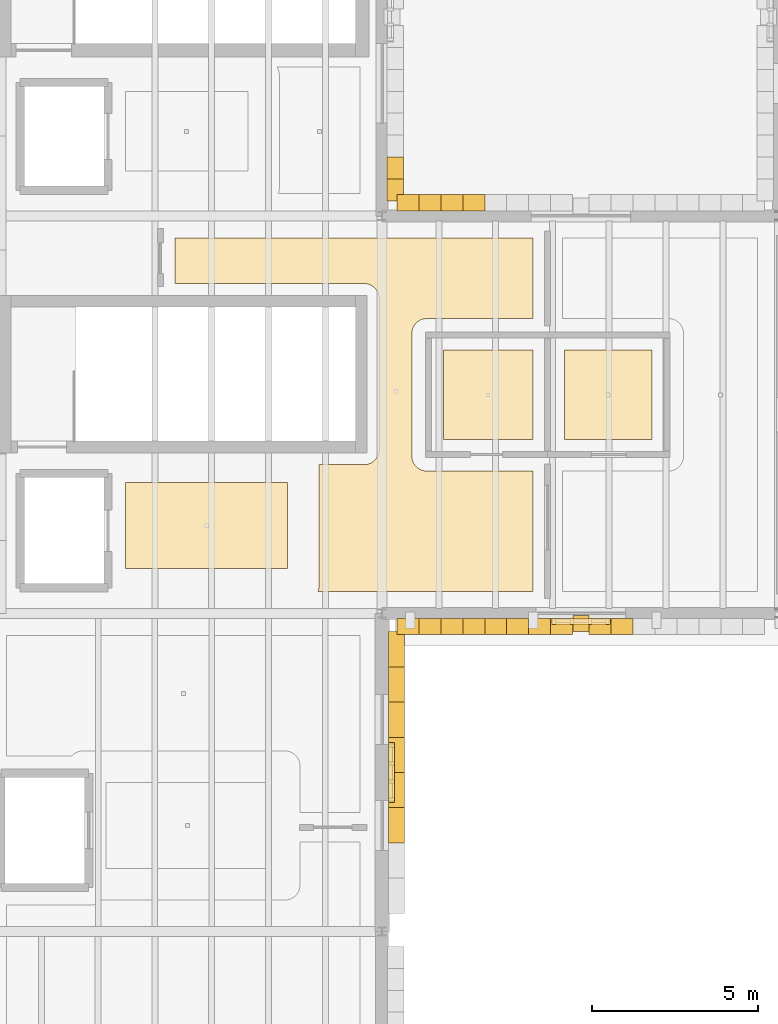
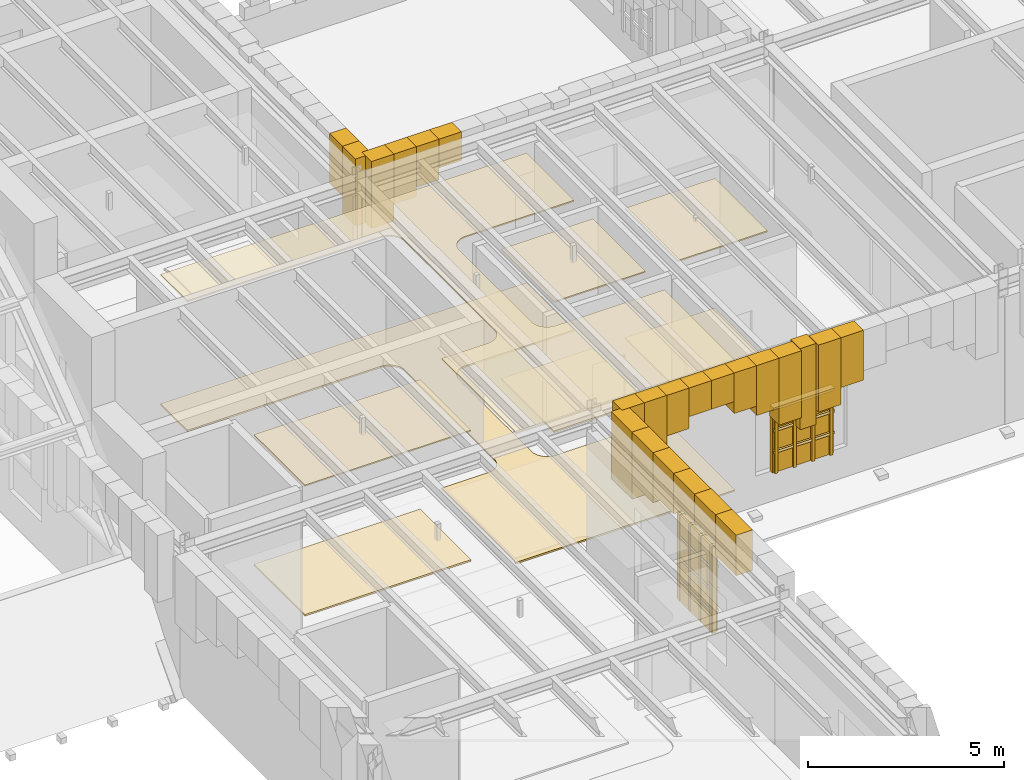
# One storey, part 31 of 35: 45 coverings, 2 shading devices.
"""IFC4 building model written with IfcOpenShell, lengths in metres."""

import ifcopenshell
import ifcopenshell.guid

model = None  # the IFC model being written
_history = None  # IfcOwnerHistory: only IFC2X3 demands one
_inside = {}  # id of a spatial element -> (the spatial element, [elements in it])
_under = {}  # id of a project, library or spatial element -> (it, [spatial elements below it])
_declared = {}  # id of a project -> (the project, [libraries it declares])
_typed = {}  # id of a type object -> (the type object, [elements of that type])
_made_of = {}  # id of a material, layer set ... -> (it, [elements and type objects made of it])


def new_model(schema):
    """Start an empty IFC model of exactly this schema.

    Asked for "IFC4X3", IfcOpenShell would pick the latest addendum, in which some entities
    have other attributes; the version numbers below select the first issue.
    IFC2X3 requires an IfcOwnerHistory on every rooted entity: one is made here for all.
    """
    global model, _history
    if schema == "IFC4X3":
        model = ifcopenshell.file(schema_version=(4, 3, 0, 0))
    else:
        model = ifcopenshell.file(schema=schema)
    _inside.clear()
    _under.clear()
    _declared.clear()
    _typed.clear()
    _made_of.clear()
    _history = None
    if model.schema == "IFC2X3":
        org = make("IfcOrganization", Name="unknown")
        user = make(
            "IfcPersonAndOrganization",
            ThePerson=make("IfcPerson", FamilyName="unknown"),
            TheOrganization=org,
        )
        app = make(
            "IfcApplication",
            ApplicationDeveloper=org,
            Version="unknown",
            ApplicationFullName="unknown",
            ApplicationIdentifier="unknown",
        )
        _history = make(
            "IfcOwnerHistory",
            OwningUser=user,
            OwningApplication=app,
            ChangeAction="ADDED",
            CreationDate=0,
        )
    return model


def make(cls, **values):
    """One entity of the class cls with the attributes given. An attribute that is None is left unset."""
    return model.create_entity(
        cls, **{name: value for name, value in values.items() if value is not None}
    )


def rooted(cls, **values):
    """An entity with a GlobalId (a new one), such as an element, a storey or a relation."""
    return make(cls, GlobalId=ifcopenshell.guid.new(), OwnerHistory=_history, **values)


def si_unit(unit_type, name, prefix=None):
    """IfcSIUnit, for example si_unit("LENGTHUNIT", "METRE", prefix="MILLI")."""
    return make("IfcSIUnit", UnitType=unit_type, Prefix=prefix, Name=name)


def assignment(units):
    """IfcUnitAssignment: the units of a project."""
    return None if units is None else make("IfcUnitAssignment", Units=units)


def point(xyz):
    """IfcCartesianPoint."""
    return None if xyz is None else make("IfcCartesianPoint", Coordinates=xyz)


def direction(xyz):
    """IfcDirection."""
    return None if xyz is None else make("IfcDirection", DirectionRatios=xyz)


def frame(location, z_axis=None, x_axis=None):
    """IfcAxis2Placement3D, a coordinate frame: its origin and axes. An axis left out is left unset."""
    return make(
        "IfcAxis2Placement3D",
        Location=point(location),
        Axis=direction(z_axis),
        RefDirection=direction(x_axis),
    )


def frame_2d(location, x_axis=None):
    """IfcAxis2Placement2D, a coordinate frame in the plane: its origin and x axis."""
    return make(
        "IfcAxis2Placement2D", Location=point(location), RefDirection=direction(x_axis)
    )


def origin():
    """The frame at (0, 0, 0) with its axes left unset."""
    return frame((0.0, 0.0, 0.0))


def origin_2d():
    """The frame at (0, 0) in the plane with its x axis left unset."""
    return frame_2d((0.0, 0.0))


def place(relative_to, where):
    """IfcLocalPlacement: puts the frame where relative to a parent placement (None: the world)."""
    return make(
        "IfcLocalPlacement", PlacementRelTo=relative_to, RelativePlacement=where
    )


def context(
    kind, dimensions, precision=None, world=None, true_north=None, identifier=None
):
    """IfcGeometricRepresentationContext, for example the 3D "Model" context."""
    return make(
        "IfcGeometricRepresentationContext",
        ContextIdentifier=identifier,
        ContextType=kind,
        CoordinateSpaceDimension=dimensions,
        Precision=precision,
        WorldCoordinateSystem=world,
        TrueNorth=true_north,
    )


def subcontext(parent, identifier, kind, view, scale=None):
    """IfcGeometricRepresentationSubContext, for example "Body" below "Model"."""
    return make(
        "IfcGeometricRepresentationSubContext",
        ContextIdentifier=identifier,
        ContextType=kind,
        ParentContext=parent,
        TargetScale=scale,
        TargetView=view,
    )


def project(units=None, contexts=None):
    """IfcProject with its units and contexts."""
    return rooted(
        "IfcProject",
        Name="project",
        RepresentationContexts=contexts,
        UnitsInContext=assignment(units),
    )


def spatial(cls, under=None, at=None, **own):
    """A site, building, storey or space (cls), placed at a placement, below another one or the project."""
    s = rooted(cls, ObjectPlacement=at, **own)
    if under is not None:
        _under.setdefault(under.id(), (under, []))[1].append(s)
    return s


def polyline(points):
    """IfcPolyline through the points."""
    return make("IfcPolyline", Points=[point(p) for p in points])


def profile(cls, at=None, kind="AREA", **sizes):
    """A parametric profile (cls). Its sizes go by their IFC names, for example OverallWidth=200.0."""
    return make(cls, ProfileType=kind, Position=at, **sizes)


def rectangle(**sizes):
    """IfcRectangleProfileDef."""
    return profile("IfcRectangleProfileDef", **sizes)


def outline(outer, holes=None, kind="AREA"):
    """IfcArbitraryClosedProfileDef: a profile drawn as a closed curve; with holes, ...WithVoids."""
    if holes is None:
        return make("IfcArbitraryClosedProfileDef", ProfileType=kind, OuterCurve=outer)
    return make(
        "IfcArbitraryProfileDefWithVoids",
        ProfileType=kind,
        OuterCurve=outer,
        InnerCurves=holes,
    )


def extrude(swept, where, along, depth):
    """IfcExtrudedAreaSolid: the profile swept, set in the frame where, extruded along a direction by depth."""
    return make(
        "IfcExtrudedAreaSolid",
        SweptArea=swept,
        Position=where,
        ExtrudedDirection=direction(along),
        Depth=depth,
    )


def shape(context_of_items, identifier, shape_type, items):
    """IfcShapeRepresentation: the items that make up one representation, for example the "Body"."""
    return make(
        "IfcShapeRepresentation",
        ContextOfItems=context_of_items,
        RepresentationIdentifier=identifier,
        RepresentationType=shape_type,
        Items=items,
    )


def material(Name=None, Category=None):
    """IfcMaterial."""
    return make("IfcMaterial", Name=Name, Category=Category)


def layer(
    of_material, thickness, ventilated=None, Name=None, Category=None, Priority=None
):
    """IfcMaterialLayer: one layer of a wall or slab, of a material (None: an air gap)."""
    return make(
        "IfcMaterialLayer",
        Material=of_material,
        LayerThickness=thickness,
        IsVentilated=ventilated,
        Name=Name,
        Category=Category,
        Priority=Priority,
    )


def layer_set(layers, Name=None):
    """IfcMaterialLayerSet."""
    return make("IfcMaterialLayerSet", MaterialLayers=layers, LayerSetName=Name)


def made_of(thing, what):
    """Note that an element or type object is made of a material, layer set ...; save() writes the relation."""
    if what is not None:
        _made_of.setdefault(what.id(), (what, []))[1].append(thing)
    return thing


def type_object(cls, material=None, **own):
    """A type object (cls), such as IfcWallType, which elements share."""
    return made_of(rooted(cls, **own), material)


def element(
    cls,
    number,
    at=None,
    inside=None,
    cuts=None,
    type_object=None,
    material=None,
    context=None,
    identifier="Body",
    shape_type=None,
    held_by="IfcProductDefinitionShape",
    body=None,
    shapes=None,
    **own,
):
    """One element of the class cls, such as IfcWall. Its Tag is "e" and its number.

    at: its placement. inside: the storey or other place that contains it. cuts: it is an
    opening in that element (IfcRelVoidsElement). A single representation is given by context,
    identifier, shape_type and body (its items); several are given by shapes. held_by: the class
    of the entity that holds the representations. save() writes the other relations.
    """
    e = rooted(cls, Tag="e%d" % number, ObjectPlacement=at, **own)
    if body is not None:
        shapes = [shape(context, identifier, shape_type, body)]
    if shapes is not None:
        e.Representation = make(held_by, Representations=shapes)
    if inside is not None:
        _inside.setdefault(inside.id(), (inside, []))[1].append(e)
    if cuts is not None:
        rooted(
            "IfcRelVoidsElement", RelatingBuildingElement=cuts, RelatedOpeningElement=e
        )
    if type_object is not None:
        _typed.setdefault(type_object.id(), (type_object, []))[1].append(e)
    return made_of(e, material)


def aggregate(whole, parts):
    """IfcRelAggregates: a whole, such as a stair, and the parts it consists of."""
    return rooted("IfcRelAggregates", RelatingObject=whole, RelatedObjects=parts)


def save(model, path):
    """Write the relations noted so far, then the file.

    IfcRelAggregates (storeys below a building ...), IfcRelContainedInSpatialStructure (elements
    in a storey), IfcRelDefinesByType, IfcRelAssociatesMaterial and IfcRelDeclares: one each for
    every whole, place, type object, material and project.
    """
    for whole, parts in _under.values():
        aggregate(whole, parts)
    for where, things in _inside.values():
        rooted(
            "IfcRelContainedInSpatialStructure",
            RelatedElements=things,
            RelatingStructure=where,
        )
    for kind, things in _typed.values():
        rooted("IfcRelDefinesByType", RelatedObjects=things, RelatingType=kind)
    for what, things in _made_of.values():
        rooted("IfcRelAssociatesMaterial", RelatedObjects=things, RelatingMaterial=what)
    for by, libraries in _declared.values():
        rooted("IfcRelDeclares", RelatingContext=by, RelatedDefinitions=libraries)
    model.write(path)


model = new_model("IFC4")

# Units and contexts
model_context = context("Model", 3, precision=1e-05, world=origin(), true_north=direction((0.0, 1.0)))
body_context = subcontext(model_context, "Body", "Model", "MODEL_VIEW")
ifc_project = project(units=[si_unit("LENGTHUNIT", "METRE"), si_unit("AREAUNIT", "SQUARE_METRE"), si_unit("VOLUMEUNIT", "CUBIC_METRE"), si_unit("PLANEANGLEUNIT", "RADIAN"), si_unit("MASSUNIT", "GRAM", prefix="KILO")], contexts=[model_context])

# Site, building, storey
site_placement = place(None, origin())
site = spatial("IfcSite", under=ifc_project, at=site_placement, CompositionType="ELEMENT")
building_placement = place(site_placement, origin())
building = spatial("IfcBuilding", under=site, at=building_placement, Name="Zlatogorsky Bluff Art Gallery", CompositionType="ELEMENT")
storey_placement = place(building_placement, frame((0.0, 0.0, 23.39990234375)))
storey = spatial("IfcBuildingStorey", under=building, at=storey_placement, Name="L04", CompositionType="ELEMENT", Elevation=23.39990234375)

# Coverings
ifc_material_1 = material(Name="Perforated Gypsum Acoustic Board", Category="gypsum")
ifc_layer_1 = layer(ifc_material_1, 0.0400390625)
ifc_layer_set_1 = layer_set([ifc_layer_1], Name="Acoustic Gallery Ceiling CLG-01")
covering_type_1 = type_object("IfcCoveringType", Name="Acoustic Gallery Ceiling CLG-01", PredefinedType="CEILING", material=ifc_layer_set_1)
covering_1_placement = place(storey_placement, frame((0.0, 0.0, 4.050048828125)))
element("IfcCovering", 1, at=covering_1_placement, inside=storey, type_object=covering_type_1, Name="Firefighting Lift Lobby FL-2 acoustic ceiling", PredefinedType="CEILING", context=body_context, shape_type="SweptSolid", body=[
    extrude(outline(polyline([(129.14990234375, 87.949951171875), (129.14990234375, 85.35009765625), (124.25, 85.35009765625), (124.25, 87.949951171875), (129.14990234375, 87.949951171875)])), origin(), (0.0, 0.0, 1.0), 0.0400390625),
])
covering_2_placement = place(storey_placement, frame((0.0, 0.0, 4.050048828125)))
element("IfcCovering", 2, at=covering_2_placement, inside=storey, type_object=covering_type_1, Name="Public Restrooms and Staff WC acoustic ceiling", PredefinedType="CEILING", context=body_context, shape_type="SweptSolid", body=[
    extrude(outline(polyline([(136.550048828125, 91.949951171875), (136.550048828125, 89.25), (133.85009765625, 89.25), (133.85009765625, 91.949951171875), (136.550048828125, 91.949951171875)])), origin(), (0.0, 0.0, 1.0), 0.0400390625),
])
covering_3_placement = place(storey_placement, frame((0.0, 0.0, 4.050048828125)))
element("IfcCovering", 3, at=covering_3_placement, inside=storey, type_object=covering_type_1, Name="Accessible WC acoustic ceiling", PredefinedType="CEILING", context=body_context, shape_type="SweptSolid", body=[
    extrude(outline(polyline([(140.14990234375, 89.25), (137.5, 89.25), (137.5, 91.949951171875), (140.14990234375, 91.949951171875), (140.14990234375, 89.25)])), origin(), (0.0, 0.0, 1.0), 0.0400390625),
])
covering_4_placement = place(storey_placement, frame((0.0, 0.0, 4.050048828125)))
element("IfcCovering", 4, at=covering_4_placement, inside=storey, type_object=covering_type_1, Name="Imaging Conservation Laboratory acoustic ceiling", PredefinedType="CEILING", context=body_context, shape_type="SweptSolid", body=[
    extrude(outline(polyline([(130.065673828125, 84.677734375), (130.08056640625, 84.719482421875), (130.09130859375, 84.76220703125), (130.097900390625, 84.805908203125), (130.10009765625, 84.85009765625), (130.10009765625, 88.449951171875), (130.097900390625, 88.489990234375), (131.450927734375, 88.489990234375), (131.495361328125, 88.4921875), (131.539306640625, 88.498779296875), (131.540283203125, 88.498779296875), (131.549560546875, 88.5009765625), (131.550537109375, 88.501220703125), (131.59375, 88.512939453125), (131.6357421875, 88.529296875), (131.637451171875, 88.530029296875), (131.673095703125, 88.5478515625), (131.674072265625, 88.54833984375), (131.706298828125, 88.568115234375), (131.73681640625, 88.59033203125), (131.73828125, 88.591552734375), (131.775390625, 88.624755859375), (131.80859375, 88.661865234375), (131.809814453125, 88.663330078125), (131.83203125, 88.693603515625), (131.851806640625, 88.725830078125), (131.852294921875, 88.726806640625), (131.8701171875, 88.762451171875), (131.870361328125, 88.763427734375), (131.870849609375, 88.764404296875), (131.886962890625, 88.80615234375), (131.89892578125, 88.849609375), (131.899169921875, 88.850341796875), (131.901123046875, 88.859619140625), (131.9013671875, 88.860595703125), (131.90771484375, 88.90478515625), (131.909912109375, 88.948974609375), (131.909912109375, 93.5009765625), (131.90771484375, 93.54541015625), (131.9013671875, 93.58935546875), (131.901123046875, 93.59033203125), (131.899169921875, 93.599609375), (131.89892578125, 93.6005859375), (131.886962890625, 93.643798828125), (131.870849609375, 93.685791015625), (131.870361328125, 93.6865234375), (131.8701171875, 93.6875), (131.852294921875, 93.72314453125), (131.851806640625, 93.72412109375), (131.83203125, 93.75634765625), (131.809814453125, 93.78662109375), (131.80859375, 93.7880859375), (131.775390625, 93.8251953125), (131.73828125, 93.8583984375), (131.73681640625, 93.859619140625), (131.706298828125, 93.882080078125), (131.674072265625, 93.901611328125), (131.673095703125, 93.902099609375), (131.637451171875, 93.919921875), (131.63671875, 93.92041015625), (131.6357421875, 93.9208984375), (131.59375, 93.93701171875), (131.550537109375, 93.948974609375), (131.549560546875, 93.94921875), (131.540283203125, 93.951171875), (131.539306640625, 93.951416015625), (131.495361328125, 93.957763671875), (131.450927734375, 93.9599609375), (125.7548828125, 93.9599609375), (125.7548828125, 95.330078125), (136.550048828125, 95.330078125), (136.550048828125, 92.89990234375), (133.35009765625, 92.89990234375), (133.305908203125, 92.897705078125), (133.26220703125, 92.891357421875), (133.219482421875, 92.880615234375), (133.177734375, 92.86572265625), (133.137939453125, 92.846923828125), (133.10009765625, 92.82421875), (133.064453125, 92.7978515625), (133.03173828125, 92.768310546875), (133.002197265625, 92.735595703125), (132.975830078125, 92.699951171875), (132.953125, 92.662109375), (132.934326171875, 92.622314453125), (132.91943359375, 92.58056640625), (132.90869140625, 92.537841796875), (132.902099609375, 92.494140625), (132.89990234375, 92.449951171875), (132.89990234375, 88.75), (132.902099609375, 88.705810546875), (132.90869140625, 88.662109375), (132.91943359375, 88.619384765625), (132.934326171875, 88.577880859375), (132.953125, 88.537841796875), (132.975830078125, 88.5), (133.002197265625, 88.464599609375), (133.03173828125, 88.431884765625), (133.064453125, 88.402099609375), (133.10009765625, 88.375732421875), (133.137939453125, 88.35302734375), (133.177734375, 88.334228515625), (133.219482421875, 88.3193359375), (133.26220703125, 88.30859375), (133.305908203125, 88.30224609375), (133.35009765625, 88.300048828125), (136.550048828125, 88.300048828125), (136.550048828125, 84.669921875), (130.06201171875, 84.669921875), (130.065673828125, 84.677734375)])), origin(), (0.0, 0.0, 1.0), 0.0400390625),
])
ifc_material_2 = material(Name="Honed Red Agra-Tone Quartzitic Sandstone", Category="masonry")
ifc_layer_2 = layer(ifc_material_2, 0.1201171875)
ifc_layer_set_2 = layer_set([ifc_layer_2], Name="Carved Sandstone Cladding CLD-02")
covering_type_2 = type_object("IfcCoveringType", Name="Carved Sandstone Cladding CLD-02", PredefinedType="CLADDING", material=ifc_layer_set_2)
covering_5_placement = place(storey_placement, frame((0.0, 0.0, 3.496826171875)))
element("IfcCovering", 5, at=covering_5_placement, inside=storey, type_object=covering_type_2, Name="Pointed Mughal arch voussoir spandrel WARCH-L04-E-10-07-A.3", PredefinedType="CLADDING", context=body_context, shape_type="SweptSolid", body=[
    extrude(outline(polyline([(132.18994140625, 77.074951171875), (132.18994140625, 78.137451171875), (132.679931640625, 78.137451171875), (132.679931640625, 77.074951171875), (132.18994140625, 77.074951171875)])), origin(), (0.0, 0.0, 1.0), 1.26318359375),
])
covering_6_placement = place(storey_placement, frame((0.0, 0.0, 3.865478515625)))
element("IfcCovering", 6, at=covering_6_placement, inside=storey, type_object=covering_type_2, Name="Pointed Mughal arch voussoir spandrel WARCH-L04-E-10-07-A.4", PredefinedType="CLADDING", context=body_context, shape_type="SweptSolid", body=[
    extrude(outline(polyline([(132.18994140625, 78.137451171875), (132.18994140625, 79.199951171875), (132.679931640625, 79.199951171875), (132.679931640625, 78.137451171875), (132.18994140625, 78.137451171875)])), origin(), (0.0, 0.0, 1.0), 0.89453125),
])
covering_7_placement = place(storey_placement, frame((0.0, 0.0, 3.865478515625)))
element("IfcCovering", 7, at=covering_7_placement, inside=storey, type_object=covering_type_2, Name="Pointed Mughal arch voussoir spandrel WARCH-L04-E-10-07-A.5", PredefinedType="CLADDING", context=body_context, shape_type="SweptSolid", body=[
    extrude(outline(polyline([(132.18994140625, 79.199951171875), (132.18994140625, 80.262451171875), (132.679931640625, 80.262451171875), (132.679931640625, 79.199951171875), (132.18994140625, 79.199951171875)])), origin(), (0.0, 0.0, 1.0), 0.89453125),
])
covering_8_placement = place(storey_placement, frame((0.0, 0.0, 3.496826171875)))
element("IfcCovering", 8, at=covering_8_placement, inside=storey, type_object=covering_type_2, Name="Pointed Mughal arch voussoir spandrel WARCH-L04-E-10-07-A.6", PredefinedType="CLADDING", context=body_context, shape_type="SweptSolid", body=[
    extrude(outline(polyline([(132.18994140625, 80.262451171875), (132.18994140625, 81.324951171875), (132.679931640625, 81.324951171875), (132.679931640625, 80.262451171875), (132.18994140625, 80.262451171875)])), origin(), (0.0, 0.0, 1.0), 1.26318359375),
])
covering_9_placement = place(storey_placement, frame((0.0, 0.0, 3.203857421875)))
element("IfcCovering", 9, at=covering_9_placement, inside=storey, type_object=covering_type_2, Name="Pointed Mughal arch voussoir spandrel WARCH-L04-E-10-07-A.7", PredefinedType="CLADDING", context=body_context, shape_type="SweptSolid", body=[
    extrude(outline(polyline([(132.18994140625, 81.324951171875), (132.18994140625, 82.387451171875), (132.679931640625, 82.387451171875), (132.679931640625, 81.324951171875), (132.18994140625, 81.324951171875)])), origin(), (0.0, 0.0, 1.0), 1.55615234375),
])
covering_10_placement = place(storey_placement, frame((0.0, 0.0, 2.672607421875)))
element("IfcCovering", 10, at=covering_10_placement, inside=storey, type_object=covering_type_2, Name="Pointed Mughal arch voussoir spandrel WARCH-L04-E-10-07-A.8", PredefinedType="CLADDING", context=body_context, shape_type="SweptSolid", body=[
    extrude(outline(polyline([(132.18994140625, 82.387451171875), (132.18994140625, 83.449951171875), (132.679931640625, 83.449951171875), (132.679931640625, 82.387451171875), (132.18994140625, 82.387451171875)])), origin(), (0.0, 0.0, 1.0), 2.08740234375),
])
covering_11_placement = place(storey_placement, frame((0.0, 0.0, 0.9501953125)))
element("IfcCovering", 11, at=covering_11_placement, inside=storey, type_object=covering_type_2, Name="Pierced sandstone jali lattice bar L04.E.10.7", PredefinedType="CLADDING", context=body_context, shape_type="SweptSolid", body=[
    extrude(outline(polyline([(132.18994140625, 78.344970703125), (132.18994140625, 78.43505859375), (132.3798828125, 78.43505859375), (132.3798828125, 78.344970703125), (132.18994140625, 78.344970703125)])), origin(), (0.0, 0.0, 1.0), 2.699951171875),
])
covering_12_placement = place(storey_placement, frame((0.0, 0.0, 0.9501953125)))
element("IfcCovering", 12, at=covering_12_placement, inside=storey, type_object=covering_type_2, Name="Pierced sandstone jali lattice bar L04.E.10.7", PredefinedType="CLADDING", context=body_context, shape_type="SweptSolid", body=[
    extrude(outline(polyline([(132.18994140625, 78.885009765625), (132.18994140625, 78.97509765625), (132.3798828125, 78.97509765625), (132.3798828125, 78.885009765625), (132.18994140625, 78.885009765625)])), origin(), (0.0, 0.0, 1.0), 2.699951171875),
])
covering_13_placement = place(storey_placement, frame((0.0, 0.0, 0.9501953125)))
element("IfcCovering", 13, at=covering_13_placement, inside=storey, type_object=covering_type_2, Name="Pierced sandstone jali lattice bar L04.E.10.7", PredefinedType="CLADDING", context=body_context, shape_type="SweptSolid", body=[
    extrude(outline(polyline([(132.18994140625, 79.425048828125), (132.18994140625, 79.514892578125), (132.3798828125, 79.514892578125), (132.3798828125, 79.425048828125), (132.18994140625, 79.425048828125)])), origin(), (0.0, 0.0, 1.0), 2.699951171875),
])
covering_14_placement = place(storey_placement, frame((0.0, 0.0, 0.9501953125)))
element("IfcCovering", 14, at=covering_14_placement, inside=storey, type_object=covering_type_2, Name="Pierced sandstone jali lattice bar L04.E.10.7", PredefinedType="CLADDING", context=body_context, shape_type="SweptSolid", body=[
    extrude(outline(polyline([(132.18994140625, 79.965087890625), (132.18994140625, 80.054931640625), (132.3798828125, 80.054931640625), (132.3798828125, 79.965087890625), (132.18994140625, 79.965087890625)])), origin(), (0.0, 0.0, 1.0), 2.699951171875),
])
covering_15_placement = place(storey_placement, frame((0.0, 0.0, 1.585205078125)))
element("IfcCovering", 15, at=covering_15_placement, inside=storey, type_object=covering_type_2, Name="Pierced sandstone jali lattice transom L04.E.10.7", PredefinedType="CLADDING", context=body_context, shape_type="SweptSolid", body=[
    extrude(outline(polyline([(132.18994140625, 78.300048828125), (132.18994140625, 80.10009765625), (132.3798828125, 80.10009765625), (132.3798828125, 78.300048828125), (132.18994140625, 78.300048828125)])), origin(), (0.0, 0.0, 1.0), 0.079833984375),
])
for number, where, name in (
    (16, (0.0, 0.0, 2.260009765625), "Pierced sandstone jali lattice transom L04.E.10.7"),
    (17, (0.0, 0.0, 2.93505859375), "Pierced sandstone jali lattice transom L04.E.10.7"),
):
    element("IfcCovering", number, at=place(storey_placement, frame(where)), inside=storey, type_object=covering_type_2, Name=name, PredefinedType="CLADDING", context=body_context, shape_type="SweptSolid", body=[
        extrude(outline(polyline([(132.18994140625, 78.300048828125), (132.18994140625, 80.10009765625), (132.3798828125, 80.10009765625), (132.3798828125, 78.300048828125), (132.18994140625, 78.300048828125)])), origin(), (0.0, 0.0, 1.0), 0.080078125),
    ])
covering_16_placement = place(storey_placement, frame((0.0, 0.0, 2.672607421875)))
element("IfcCovering", 18, at=covering_16_placement, inside=storey, type_object=covering_type_2, Name="Pointed Mughal arch voussoir spandrel WARCH-L04-E-10-09-A.1", PredefinedType="CLADDING", context=body_context, shape_type="SweptSolid", body=[
    extrude(outline(polyline([(132.14990234375, 96.449951171875), (132.14990234375, 97.112548828125), (132.639892578125, 97.112548828125), (132.639892578125, 96.449951171875), (132.14990234375, 96.449951171875)])), origin(), (0.0, 0.0, 1.0), 2.08740234375),
])
covering_17_placement = place(storey_placement, frame((0.0, 0.0, 3.203857421875)))
element("IfcCovering", 19, at=covering_17_placement, inside=storey, type_object=covering_type_2, Name="Pointed Mughal arch voussoir spandrel WARCH-L04-E-10-09-A.2", PredefinedType="CLADDING", context=body_context, shape_type="SweptSolid", body=[
    extrude(outline(polyline([(132.14990234375, 97.112548828125), (132.14990234375, 97.77490234375), (132.639892578125, 97.77490234375), (132.639892578125, 97.112548828125), (132.14990234375, 97.112548828125)])), origin(), (0.0, 0.0, 1.0), 1.55615234375),
])
covering_18_placement = place(storey_placement, frame((0.0, 0.0, 2.22998046875)))
element("IfcCovering", 20, at=covering_18_placement, inside=storey, type_object=covering_type_2, Name="Mughal blind-arch sandstone pilaster L04.S.11.8", PredefinedType="CLADDING", context=body_context, shape_type="SweptSolid", body=[
    extrude(outline(polyline([(137.760009765625, 83.4599609375), (138.239990234375, 83.4599609375), (138.239990234375, 83.93994140625), (137.760009765625, 83.93994140625), (137.760009765625, 83.4599609375)])), origin(), (0.0, 0.0, 1.0), 2.530029296875),
])
covering_19_placement = place(storey_placement, frame((0.0, 0.0, 2.672607421875)))
element("IfcCovering", 21, at=covering_19_placement, inside=storey, type_object=covering_type_2, Name="Pointed Mughal arch voussoir spandrel WARCH-L04-S-11-08-A.1", PredefinedType="CLADDING", context=body_context, shape_type="SweptSolid", body=[
    extrude(outline(polyline([(132.449951171875, 83.360107421875), (133.112548828125, 83.360107421875), (133.112548828125, 83.85009765625), (132.449951171875, 83.85009765625), (132.449951171875, 83.360107421875)])), origin(), (0.0, 0.0, 1.0), 2.08740234375),
])
covering_20_placement = place(storey_placement, frame((0.0, 0.0, 3.203857421875)))
element("IfcCovering", 22, at=covering_20_placement, inside=storey, type_object=covering_type_2, Name="Pointed Mughal arch voussoir spandrel WARCH-L04-S-11-08-A.2", PredefinedType="CLADDING", context=body_context, shape_type="SweptSolid", body=[
    extrude(outline(polyline([(133.112548828125, 83.360107421875), (133.77490234375, 83.360107421875), (133.77490234375, 83.85009765625), (133.112548828125, 83.85009765625), (133.112548828125, 83.360107421875)])), origin(), (0.0, 0.0, 1.0), 1.55615234375),
])
covering_21_placement = place(storey_placement, frame((0.0, 0.0, 3.496826171875)))
element("IfcCovering", 23, at=covering_21_placement, inside=storey, type_object=covering_type_2, Name="Pointed Mughal arch voussoir spandrel WARCH-L04-S-11-08-A.3", PredefinedType="CLADDING", context=body_context, shape_type="SweptSolid", body=[
    extrude(outline(polyline([(133.77490234375, 83.360107421875), (134.4375, 83.360107421875), (134.4375, 83.85009765625), (133.77490234375, 83.85009765625), (133.77490234375, 83.360107421875)])), origin(), (0.0, 0.0, 1.0), 1.26318359375),
])
covering_22_placement = place(storey_placement, frame((0.0, 0.0, 3.865478515625)))
element("IfcCovering", 24, at=covering_22_placement, inside=storey, type_object=covering_type_2, Name="Pointed Mughal arch voussoir spandrel WARCH-L04-S-11-08-A.4", PredefinedType="CLADDING", context=body_context, shape_type="SweptSolid", body=[
    extrude(outline(polyline([(134.4375, 83.360107421875), (135.10009765625, 83.360107421875), (135.10009765625, 83.85009765625), (134.4375, 83.85009765625), (134.4375, 83.360107421875)])), origin(), (0.0, 0.0, 1.0), 0.89453125),
])
covering_23_placement = place(storey_placement, frame((0.0, 0.0, 3.865478515625)))
element("IfcCovering", 25, at=covering_23_placement, inside=storey, type_object=covering_type_2, Name="Pointed Mughal arch voussoir spandrel WARCH-L04-S-11-08-A.5", PredefinedType="CLADDING", context=body_context, shape_type="SweptSolid", body=[
    extrude(outline(polyline([(135.10009765625, 83.360107421875), (135.762451171875, 83.360107421875), (135.762451171875, 83.85009765625), (135.10009765625, 83.85009765625), (135.10009765625, 83.360107421875)])), origin(), (0.0, 0.0, 1.0), 0.89453125),
])
covering_24_placement = place(storey_placement, frame((0.0, 0.0, 3.496826171875)))
element("IfcCovering", 26, at=covering_24_placement, inside=storey, type_object=covering_type_2, Name="Pointed Mughal arch voussoir spandrel WARCH-L04-S-11-08-A.6", PredefinedType="CLADDING", context=body_context, shape_type="SweptSolid", body=[
    extrude(outline(polyline([(135.762451171875, 83.360107421875), (136.425048828125, 83.360107421875), (136.425048828125, 83.85009765625), (135.762451171875, 83.85009765625), (135.762451171875, 83.360107421875)])), origin(), (0.0, 0.0, 1.0), 1.26318359375),
])
covering_25_placement = place(storey_placement, frame((0.0, 0.0, 3.203857421875)))
element("IfcCovering", 27, at=covering_25_placement, inside=storey, type_object=covering_type_2, Name="Pointed Mughal arch voussoir spandrel WARCH-L04-S-11-08-A.7", PredefinedType="CLADDING", context=body_context, shape_type="SweptSolid", body=[
    extrude(outline(polyline([(136.425048828125, 83.360107421875), (137.08740234375, 83.360107421875), (137.08740234375, 83.85009765625), (136.425048828125, 83.85009765625), (136.425048828125, 83.360107421875)])), origin(), (0.0, 0.0, 1.0), 1.55615234375),
])
covering_26_placement = place(storey_placement, frame((0.0, 0.0, 2.672607421875)))
element("IfcCovering", 28, at=covering_26_placement, inside=storey, type_object=covering_type_2, Name="Pointed Mughal arch voussoir spandrel WARCH-L04-S-11-08-A.8", PredefinedType="CLADDING", context=body_context, shape_type="SweptSolid", body=[
    extrude(outline(polyline([(137.08740234375, 83.360107421875), (137.75, 83.360107421875), (137.75, 83.85009765625), (137.08740234375, 83.85009765625), (137.08740234375, 83.360107421875)])), origin(), (0.0, 0.0, 1.0), 2.08740234375),
])
covering_27_placement = place(storey_placement, frame((0.0, 0.0, 2.672607421875)))
element("IfcCovering", 29, at=covering_27_placement, inside=storey, type_object=covering_type_2, Name="Pointed Mughal arch voussoir spandrel WARCH-L04-S-11-08-B.1", PredefinedType="CLADDING", context=body_context, shape_type="SweptSolid", body=[
    extrude(outline(polyline([(138.25, 83.360107421875), (138.91259765625, 83.360107421875), (138.91259765625, 83.85009765625), (138.25, 83.85009765625), (138.25, 83.360107421875)])), origin(), (0.0, 0.0, 1.0), 2.08740234375),
])
covering_28_placement = place(storey_placement, frame((0.0, 0.0, 3.203857421875)))
element("IfcCovering", 30, at=covering_28_placement, inside=storey, type_object=covering_type_2, Name="Pointed Mughal arch voussoir spandrel WARCH-L04-S-11-08-B.2", PredefinedType="CLADDING", context=body_context, shape_type="SweptSolid", body=[
    extrude(outline(polyline([(138.91259765625, 83.360107421875), (139.574951171875, 83.360107421875), (139.574951171875, 83.85009765625), (138.91259765625, 83.85009765625), (138.91259765625, 83.360107421875)])), origin(), (0.0, 0.0, 1.0), 1.55615234375),
])
covering_29_placement = place(storey_placement, frame((0.0, 0.0, 0.9501953125)))
element("IfcCovering", 31, at=covering_29_placement, inside=storey, type_object=covering_type_2, Name="Pierced sandstone jali lattice bar L04.S.11.8", PredefinedType="CLADDING", context=body_context, shape_type="SweptSolid", body=[
    extrude(outline(polyline([(137.14501953125, 83.659912109375), (137.235107421875, 83.659912109375), (137.235107421875, 83.85009765625), (137.14501953125, 83.85009765625), (137.14501953125, 83.659912109375)])), origin(), (0.0, 0.0, 1.0), 2.699951171875),
])
covering_30_placement = place(storey_placement, frame((0.0, 0.0, 0.9501953125)))
element("IfcCovering", 32, at=covering_30_placement, inside=storey, type_object=covering_type_2, Name="Pierced sandstone jali lattice bar L04.S.11.8", PredefinedType="CLADDING", context=body_context, shape_type="SweptSolid", body=[
    extrude(outline(polyline([(137.68505859375, 83.659912109375), (137.77490234375, 83.659912109375), (137.77490234375, 83.85009765625), (137.68505859375, 83.85009765625), (137.68505859375, 83.659912109375)])), origin(), (0.0, 0.0, 1.0), 2.699951171875),
])
covering_31_placement = place(storey_placement, frame((0.0, 0.0, 0.9501953125)))
element("IfcCovering", 33, at=covering_31_placement, inside=storey, type_object=covering_type_2, Name="Pierced sandstone jali lattice bar L04.S.11.8", PredefinedType="CLADDING", context=body_context, shape_type="SweptSolid", body=[
    extrude(outline(polyline([(138.22509765625, 83.659912109375), (138.31494140625, 83.659912109375), (138.31494140625, 83.85009765625), (138.22509765625, 83.85009765625), (138.22509765625, 83.659912109375)])), origin(), (0.0, 0.0, 1.0), 2.699951171875),
])
covering_32_placement = place(storey_placement, frame((0.0, 0.0, 0.9501953125)))
element("IfcCovering", 34, at=covering_32_placement, inside=storey, type_object=covering_type_2, Name="Pierced sandstone jali lattice bar L04.S.11.8", PredefinedType="CLADDING", context=body_context, shape_type="SweptSolid", body=[
    extrude(outline(polyline([(138.764892578125, 83.659912109375), (138.85498046875, 83.659912109375), (138.85498046875, 83.85009765625), (138.764892578125, 83.85009765625), (138.764892578125, 83.659912109375)])), origin(), (0.0, 0.0, 1.0), 2.699951171875),
])
covering_33_placement = place(storey_placement, frame((0.0, 0.0, 1.585205078125)))
element("IfcCovering", 35, at=covering_33_placement, inside=storey, type_object=covering_type_2, Name="Pierced sandstone jali lattice transom L04.S.11.8", PredefinedType="CLADDING", context=body_context, shape_type="SweptSolid", body=[
    extrude(outline(polyline([(137.10009765625, 83.659912109375), (138.89990234375, 83.659912109375), (138.89990234375, 83.85009765625), (137.10009765625, 83.85009765625), (137.10009765625, 83.659912109375)])), origin(), (0.0, 0.0, 1.0), 0.079833984375),
])
for number, where, name in (
    (36, (0.0, 0.0, 2.260009765625), "Pierced sandstone jali lattice transom L04.S.11.8"),
    (37, (0.0, 0.0, 2.93505859375), "Pierced sandstone jali lattice transom L04.S.11.8"),
):
    element("IfcCovering", number, at=place(storey_placement, frame(where)), inside=storey, type_object=covering_type_2, Name=name, PredefinedType="CLADDING", context=body_context, shape_type="SweptSolid", body=[
        extrude(outline(polyline([(137.10009765625, 83.659912109375), (138.89990234375, 83.659912109375), (138.89990234375, 83.85009765625), (137.10009765625, 83.85009765625), (137.10009765625, 83.659912109375)])), origin(), (0.0, 0.0, 1.0), 0.080078125),
    ])
covering_34_placement = place(storey_placement, frame((0.0, 0.0, 2.672607421875)))
element("IfcCovering", 38, at=covering_34_placement, inside=storey, type_object=covering_type_2, Name="Pointed Mughal arch voussoir spandrel WARCH-L04-N-11-08-A.1", PredefinedType="CLADDING", context=body_context, shape_type="SweptSolid", body=[
    extrude(outline(polyline([(132.449951171875, 96.14990234375), (133.112548828125, 96.14990234375), (133.112548828125, 96.639892578125), (132.449951171875, 96.639892578125), (132.449951171875, 96.14990234375)])), origin(), (0.0, 0.0, 1.0), 2.08740234375),
])
covering_35_placement = place(storey_placement, frame((0.0, 0.0, 3.203857421875)))
element("IfcCovering", 39, at=covering_35_placement, inside=storey, type_object=covering_type_2, Name="Pointed Mughal arch voussoir spandrel WARCH-L04-N-11-08-A.2", PredefinedType="CLADDING", context=body_context, shape_type="SweptSolid", body=[
    extrude(outline(polyline([(133.112548828125, 96.14990234375), (133.77490234375, 96.14990234375), (133.77490234375, 96.639892578125), (133.112548828125, 96.639892578125), (133.112548828125, 96.14990234375)])), origin(), (0.0, 0.0, 1.0), 1.55615234375),
])
covering_36_placement = place(storey_placement, frame((0.0, 0.0, 3.496826171875)))
element("IfcCovering", 40, at=covering_36_placement, inside=storey, type_object=covering_type_2, Name="Pointed Mughal arch voussoir spandrel WARCH-L04-N-11-08-A.3", PredefinedType="CLADDING", context=body_context, shape_type="SweptSolid", body=[
    extrude(outline(polyline([(133.77490234375, 96.14990234375), (134.4375, 96.14990234375), (134.4375, 96.639892578125), (133.77490234375, 96.639892578125), (133.77490234375, 96.14990234375)])), origin(), (0.0, 0.0, 1.0), 1.26318359375),
])
covering_37_placement = place(storey_placement, frame((0.0, 0.0, 3.865478515625)))
element("IfcCovering", 41, at=covering_37_placement, inside=storey, type_object=covering_type_2, Name="Pointed Mughal arch voussoir spandrel WARCH-L04-N-11-08-A.4", PredefinedType="CLADDING", context=body_context, shape_type="SweptSolid", body=[
    extrude(outline(polyline([(134.4375, 96.14990234375), (135.10009765625, 96.14990234375), (135.10009765625, 96.639892578125), (134.4375, 96.639892578125), (134.4375, 96.14990234375)])), origin(), (0.0, 0.0, 1.0), 0.89453125),
])

# Shading devices
ifc_material_3 = material(Name="CNC-Pierced Red Quartzitic Sandstone Jali", Category="masonry")
shading_device_type = type_object("IfcShadingDeviceType", Name="Pierced Stone Jali Screen JAL-02", PredefinedType="JALOUSIE", material=ifc_material_3)
shading_device_1_placement = place(storey_placement, frame((132.260009765625, 79.199951171875, 0.9501953125), z_axis=(0.0, 0.0, 1.0), x_axis=(1.0, 0.0, 0.0)))
element("IfcShadingDevice", 42, at=shading_device_1_placement, inside=storey, type_object=shading_device_type, Name="Pierced stone jali screen JAL-02", PredefinedType="JALOUSIE", context=body_context, shape_type="SweptSolid", body=[
    extrude(rectangle(XDim=0.1201171875, YDim=1.800048828125, at=origin_2d()), origin(), (0.0, 0.0, 1.0), 2.699951171875),
])
shading_device_2_placement = place(storey_placement, frame((138.0, 83.780029296875, 0.9501953125), z_axis=(0.0, 0.0, 1.0), x_axis=(1.0, 0.0, 0.0)))
element("IfcShadingDevice", 43, at=shading_device_2_placement, inside=storey, type_object=shading_device_type, Name="Pierced stone jali screen JAL-02", PredefinedType="JALOUSIE", context=body_context, shape_type="SweptSolid", body=[
    extrude(rectangle(XDim=1.800048828125, YDim=0.1201171875, at=origin_2d()), origin(), (0.0, 0.0, 1.0), 2.699951171875),
])

# Coverings
ifc_material_4 = material(Name="Polished Ural Marble Terrazzo", Category="masonry")
ifc_layer_3 = layer(ifc_material_4, 0.050048828125)
ifc_layer_set_3 = layer_set([ifc_layer_3], Name="Terrazzo Gallery Flooring FLR-01")
covering_type_3 = type_object("IfcCoveringType", Name="Terrazzo Gallery Flooring FLR-01", PredefinedType="FLOORING", material=ifc_layer_set_3)
covering_38_placement = place(storey_placement, origin())
element("IfcCovering", 44, at=covering_38_placement, inside=storey, type_object=covering_type_3, Name="Firefighting Lift Lobby FL-2 terrazzo floor finish", PredefinedType="FLOORING", context=body_context, shape_type="SweptSolid", body=[
    extrude(outline(polyline([(129.14990234375, 87.949951171875), (129.14990234375, 85.35009765625), (124.25, 85.35009765625), (124.25, 87.949951171875), (129.14990234375, 87.949951171875)])), origin(), (0.0, 0.0, 1.0), 0.050048828125),
])
covering_39_placement = place(storey_placement, origin())
element("IfcCovering", 45, at=covering_39_placement, inside=storey, type_object=covering_type_3, Name="Public Restrooms and Staff WC terrazzo floor finish", PredefinedType="FLOORING", context=body_context, shape_type="SweptSolid", body=[
    extrude(outline(polyline([(136.550048828125, 91.949951171875), (136.550048828125, 89.25), (133.85009765625, 89.25), (133.85009765625, 91.949951171875), (136.550048828125, 91.949951171875)])), origin(), (0.0, 0.0, 1.0), 0.050048828125),
])
covering_40_placement = place(storey_placement, origin())
element("IfcCovering", 46, at=covering_40_placement, inside=storey, type_object=covering_type_3, Name="Accessible WC terrazzo floor finish", PredefinedType="FLOORING", context=body_context, shape_type="SweptSolid", body=[
    extrude(outline(polyline([(140.14990234375, 89.25), (137.5, 89.25), (137.5, 91.949951171875), (140.14990234375, 91.949951171875), (140.14990234375, 89.25)])), origin(), (0.0, 0.0, 1.0), 0.050048828125),
])
covering_41_placement = place(storey_placement, origin())
element("IfcCovering", 47, at=covering_41_placement, inside=storey, type_object=covering_type_3, Name="Imaging Conservation Laboratory terrazzo floor finish", PredefinedType="FLOORING", context=body_context, shape_type="SweptSolid", body=[
    extrude(outline(polyline([(130.065673828125, 84.677734375), (130.08056640625, 84.719482421875), (130.09130859375, 84.76220703125), (130.097900390625, 84.805908203125), (130.10009765625, 84.85009765625), (130.10009765625, 88.449951171875), (130.097900390625, 88.489990234375), (131.450927734375, 88.489990234375), (131.495361328125, 88.4921875), (131.539306640625, 88.498779296875), (131.540283203125, 88.498779296875), (131.549560546875, 88.5009765625), (131.550537109375, 88.501220703125), (131.59375, 88.512939453125), (131.6357421875, 88.529296875), (131.637451171875, 88.530029296875), (131.673095703125, 88.5478515625), (131.674072265625, 88.54833984375), (131.706298828125, 88.568115234375), (131.73681640625, 88.59033203125), (131.73828125, 88.591552734375), (131.775390625, 88.624755859375), (131.80859375, 88.661865234375), (131.809814453125, 88.663330078125), (131.83203125, 88.693603515625), (131.851806640625, 88.725830078125), (131.852294921875, 88.726806640625), (131.8701171875, 88.762451171875), (131.870361328125, 88.763427734375), (131.870849609375, 88.764404296875), (131.886962890625, 88.80615234375), (131.89892578125, 88.849609375), (131.899169921875, 88.850341796875), (131.901123046875, 88.859619140625), (131.9013671875, 88.860595703125), (131.90771484375, 88.90478515625), (131.909912109375, 88.948974609375), (131.909912109375, 93.5009765625), (131.90771484375, 93.54541015625), (131.9013671875, 93.58935546875), (131.901123046875, 93.59033203125), (131.899169921875, 93.599609375), (131.89892578125, 93.6005859375), (131.886962890625, 93.643798828125), (131.870849609375, 93.685791015625), (131.870361328125, 93.6865234375), (131.8701171875, 93.6875), (131.852294921875, 93.72314453125), (131.851806640625, 93.72412109375), (131.83203125, 93.75634765625), (131.809814453125, 93.78662109375), (131.80859375, 93.7880859375), (131.775390625, 93.8251953125), (131.73828125, 93.8583984375), (131.73681640625, 93.859619140625), (131.706298828125, 93.882080078125), (131.674072265625, 93.901611328125), (131.673095703125, 93.902099609375), (131.637451171875, 93.919921875), (131.63671875, 93.92041015625), (131.6357421875, 93.9208984375), (131.59375, 93.93701171875), (131.550537109375, 93.948974609375), (131.549560546875, 93.94921875), (131.540283203125, 93.951171875), (131.539306640625, 93.951416015625), (131.495361328125, 93.957763671875), (131.450927734375, 93.9599609375), (125.7548828125, 93.9599609375), (125.7548828125, 95.330078125), (136.550048828125, 95.330078125), (136.550048828125, 92.89990234375), (133.35009765625, 92.89990234375), (133.305908203125, 92.897705078125), (133.26220703125, 92.891357421875), (133.219482421875, 92.880615234375), (133.177734375, 92.86572265625), (133.137939453125, 92.846923828125), (133.10009765625, 92.82421875), (133.064453125, 92.7978515625), (133.03173828125, 92.768310546875), (133.002197265625, 92.735595703125), (132.975830078125, 92.699951171875), (132.953125, 92.662109375), (132.934326171875, 92.622314453125), (132.91943359375, 92.58056640625), (132.90869140625, 92.537841796875), (132.902099609375, 92.494140625), (132.89990234375, 92.449951171875), (132.89990234375, 88.75), (132.902099609375, 88.705810546875), (132.90869140625, 88.662109375), (132.91943359375, 88.619384765625), (132.934326171875, 88.577880859375), (132.953125, 88.537841796875), (132.975830078125, 88.5), (133.002197265625, 88.464599609375), (133.03173828125, 88.431884765625), (133.064453125, 88.402099609375), (133.10009765625, 88.375732421875), (133.137939453125, 88.35302734375), (133.177734375, 88.334228515625), (133.219482421875, 88.3193359375), (133.26220703125, 88.30859375), (133.305908203125, 88.30224609375), (133.35009765625, 88.300048828125), (136.550048828125, 88.300048828125), (136.550048828125, 84.669921875), (130.06201171875, 84.669921875), (130.065673828125, 84.677734375)])), origin(), (0.0, 0.0, 1.0), 0.050048828125),
])

save(model, "model.ifc")
